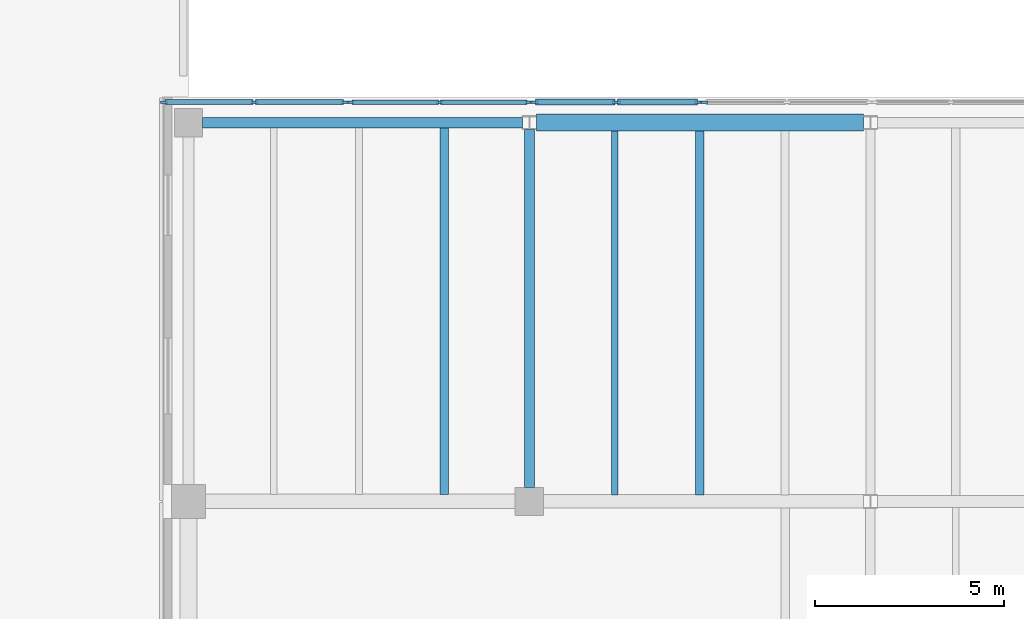
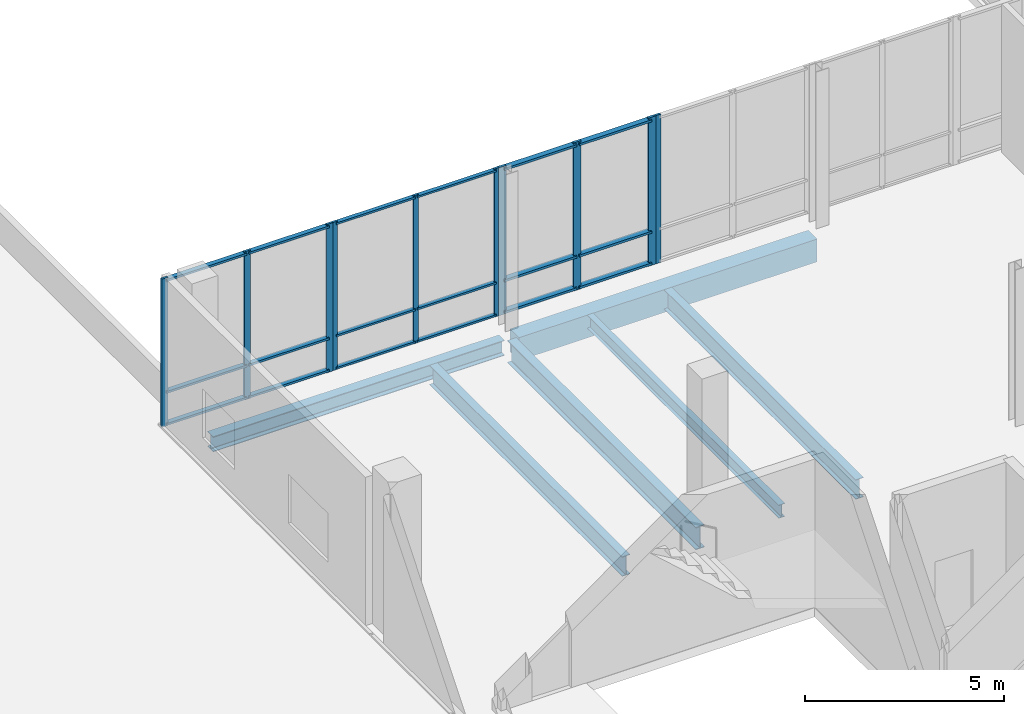
# One storey, part 13 of 41: 28 members, 6 beams, 4 elements without a shape of their own.
"""IFC4 building model written with IfcOpenShell, lengths in metres."""

import ifcopenshell
import ifcopenshell.guid

model = None  # the IFC model being written
_history = None  # IfcOwnerHistory: only IFC2X3 demands one
_inside = {}  # id of a spatial element -> (the spatial element, [elements in it])
_under = {}  # id of a project, library or spatial element -> (it, [spatial elements below it])
_declared = {}  # id of a project -> (the project, [libraries it declares])
_typed = {}  # id of a type object -> (the type object, [elements of that type])
_made_of = {}  # id of a material, layer set ... -> (it, [elements and type objects made of it])


def new_model(schema):
    """Start an empty IFC model of exactly this schema.

    Asked for "IFC4X3", IfcOpenShell would pick the latest addendum, in which some entities
    have other attributes; the version numbers below select the first issue.
    IFC2X3 requires an IfcOwnerHistory on every rooted entity: one is made here for all.
    """
    global model, _history
    if schema == "IFC4X3":
        model = ifcopenshell.file(schema_version=(4, 3, 0, 0))
    else:
        model = ifcopenshell.file(schema=schema)
    _inside.clear()
    _under.clear()
    _declared.clear()
    _typed.clear()
    _made_of.clear()
    _history = None
    if model.schema == "IFC2X3":
        org = make("IfcOrganization", Name="unknown")
        user = make(
            "IfcPersonAndOrganization",
            ThePerson=make("IfcPerson", FamilyName="unknown"),
            TheOrganization=org,
        )
        app = make(
            "IfcApplication",
            ApplicationDeveloper=org,
            Version="unknown",
            ApplicationFullName="unknown",
            ApplicationIdentifier="unknown",
        )
        _history = make(
            "IfcOwnerHistory",
            OwningUser=user,
            OwningApplication=app,
            ChangeAction="ADDED",
            CreationDate=0,
        )
    return model


def make(cls, **values):
    """One entity of the class cls with the attributes given. An attribute that is None is left unset."""
    return model.create_entity(
        cls, **{name: value for name, value in values.items() if value is not None}
    )


def rooted(cls, **values):
    """An entity with a GlobalId (a new one), such as an element, a storey or a relation."""
    return make(cls, GlobalId=ifcopenshell.guid.new(), OwnerHistory=_history, **values)


def si_unit(unit_type, name, prefix=None):
    """IfcSIUnit, for example si_unit("LENGTHUNIT", "METRE", prefix="MILLI")."""
    return make("IfcSIUnit", UnitType=unit_type, Prefix=prefix, Name=name)


def assignment(units):
    """IfcUnitAssignment: the units of a project."""
    return None if units is None else make("IfcUnitAssignment", Units=units)


def point(xyz):
    """IfcCartesianPoint."""
    return None if xyz is None else make("IfcCartesianPoint", Coordinates=xyz)


def direction(xyz):
    """IfcDirection."""
    return None if xyz is None else make("IfcDirection", DirectionRatios=xyz)


def frame(location, z_axis=None, x_axis=None):
    """IfcAxis2Placement3D, a coordinate frame: its origin and axes. An axis left out is left unset."""
    return make(
        "IfcAxis2Placement3D",
        Location=point(location),
        Axis=direction(z_axis),
        RefDirection=direction(x_axis),
    )


def frame_2d(location, x_axis=None):
    """IfcAxis2Placement2D, a coordinate frame in the plane: its origin and x axis."""
    return make(
        "IfcAxis2Placement2D", Location=point(location), RefDirection=direction(x_axis)
    )


def origin():
    """The frame at (0, 0, 0) with its axes left unset."""
    return frame((0.0, 0.0, 0.0))


def origin_2d():
    """The frame at (0, 0) in the plane with its x axis left unset."""
    return frame_2d((0.0, 0.0))


def place(relative_to, where):
    """IfcLocalPlacement: puts the frame where relative to a parent placement (None: the world)."""
    return make(
        "IfcLocalPlacement", PlacementRelTo=relative_to, RelativePlacement=where
    )


def context(
    kind, dimensions, precision=None, world=None, true_north=None, identifier=None
):
    """IfcGeometricRepresentationContext, for example the 3D "Model" context."""
    return make(
        "IfcGeometricRepresentationContext",
        ContextIdentifier=identifier,
        ContextType=kind,
        CoordinateSpaceDimension=dimensions,
        Precision=precision,
        WorldCoordinateSystem=world,
        TrueNorth=true_north,
    )


def subcontext(parent, identifier, kind, view, scale=None):
    """IfcGeometricRepresentationSubContext, for example "Body" below "Model"."""
    return make(
        "IfcGeometricRepresentationSubContext",
        ContextIdentifier=identifier,
        ContextType=kind,
        ParentContext=parent,
        TargetScale=scale,
        TargetView=view,
    )


def project(units=None, contexts=None):
    """IfcProject with its units and contexts."""
    return rooted(
        "IfcProject",
        Name="project",
        RepresentationContexts=contexts,
        UnitsInContext=assignment(units),
    )


def spatial(cls, under=None, at=None, **own):
    """A site, building, storey or space (cls), placed at a placement, below another one or the project."""
    s = rooted(cls, ObjectPlacement=at, **own)
    if under is not None:
        _under.setdefault(under.id(), (under, []))[1].append(s)
    return s


def profile(cls, at=None, kind="AREA", **sizes):
    """A parametric profile (cls). Its sizes go by their IFC names, for example OverallWidth=200.0."""
    return make(cls, ProfileType=kind, Position=at, **sizes)


def rectangle(**sizes):
    """IfcRectangleProfileDef."""
    return profile("IfcRectangleProfileDef", **sizes)


def i_section(**sizes):
    """IfcIShapeProfileDef."""
    return profile("IfcIShapeProfileDef", **sizes)


def extrude(swept, where, along, depth):
    """IfcExtrudedAreaSolid: the profile swept, set in the frame where, extruded along a direction by depth."""
    return make(
        "IfcExtrudedAreaSolid",
        SweptArea=swept,
        Position=where,
        ExtrudedDirection=direction(along),
        Depth=depth,
    )


def shape(context_of_items, identifier, shape_type, items):
    """IfcShapeRepresentation: the items that make up one representation, for example the "Body"."""
    return make(
        "IfcShapeRepresentation",
        ContextOfItems=context_of_items,
        RepresentationIdentifier=identifier,
        RepresentationType=shape_type,
        Items=items,
    )


def material(Name=None, Category=None):
    """IfcMaterial."""
    return make("IfcMaterial", Name=Name, Category=Category)


def material_profile(
    of_material, cross_section, Name=None, Category=None, Priority=None
):
    """IfcMaterialProfile: a cross section and its material."""
    return make(
        "IfcMaterialProfile",
        Name=Name,
        Material=of_material,
        Profile=cross_section,
        Priority=Priority,
        Category=Category,
    )


def profile_set(profiles, Name=None, composite=None):
    """IfcMaterialProfileSet."""
    return make(
        "IfcMaterialProfileSet",
        Name=Name,
        MaterialProfiles=profiles,
        CompositeProfile=composite,
    )


def made_of(thing, what):
    """Note that an element or type object is made of a material, layer set ...; save() writes the relation."""
    if what is not None:
        _made_of.setdefault(what.id(), (what, []))[1].append(thing)
    return thing


def type_object(cls, material=None, **own):
    """A type object (cls), such as IfcWallType, which elements share."""
    return made_of(rooted(cls, **own), material)


def element(
    cls,
    number,
    at=None,
    inside=None,
    cuts=None,
    type_object=None,
    material=None,
    context=None,
    identifier="Body",
    shape_type=None,
    held_by="IfcProductDefinitionShape",
    body=None,
    shapes=None,
    **own,
):
    """One element of the class cls, such as IfcWall. Its Tag is "e" and its number.

    at: its placement. inside: the storey or other place that contains it. cuts: it is an
    opening in that element (IfcRelVoidsElement). A single representation is given by context,
    identifier, shape_type and body (its items); several are given by shapes. held_by: the class
    of the entity that holds the representations. save() writes the other relations.
    """
    e = rooted(cls, Tag="e%d" % number, ObjectPlacement=at, **own)
    if body is not None:
        shapes = [shape(context, identifier, shape_type, body)]
    if shapes is not None:
        e.Representation = make(held_by, Representations=shapes)
    if inside is not None:
        _inside.setdefault(inside.id(), (inside, []))[1].append(e)
    if cuts is not None:
        rooted(
            "IfcRelVoidsElement", RelatingBuildingElement=cuts, RelatedOpeningElement=e
        )
    if type_object is not None:
        _typed.setdefault(type_object.id(), (type_object, []))[1].append(e)
    return made_of(e, material)


def aggregate(whole, parts):
    """IfcRelAggregates: a whole, such as a stair, and the parts it consists of."""
    return rooted("IfcRelAggregates", RelatingObject=whole, RelatedObjects=parts)


def save(model, path):
    """Write the relations noted so far, then the file.

    IfcRelAggregates (storeys below a building ...), IfcRelContainedInSpatialStructure (elements
    in a storey), IfcRelDefinesByType, IfcRelAssociatesMaterial and IfcRelDeclares: one each for
    every whole, place, type object, material and project.
    """
    for whole, parts in _under.values():
        aggregate(whole, parts)
    for where, things in _inside.values():
        rooted(
            "IfcRelContainedInSpatialStructure",
            RelatedElements=things,
            RelatingStructure=where,
        )
    for kind, things in _typed.values():
        rooted("IfcRelDefinesByType", RelatedObjects=things, RelatingType=kind)
    for what, things in _made_of.values():
        rooted("IfcRelAssociatesMaterial", RelatedObjects=things, RelatingMaterial=what)
    for by, libraries in _declared.values():
        rooted("IfcRelDeclares", RelatingContext=by, RelatedDefinitions=libraries)
    model.write(path)


model = new_model("IFC4")

# Units and contexts
model_context = context("Model", 3, precision=1e-05, world=origin(), true_north=direction((0.0, 1.0)))
body_context = subcontext(model_context, "Body", "Model", "MODEL_VIEW")
ifc_project = project(units=[si_unit("LENGTHUNIT", "METRE"), si_unit("AREAUNIT", "SQUARE_METRE"), si_unit("VOLUMEUNIT", "CUBIC_METRE"), si_unit("PLANEANGLEUNIT", "RADIAN"), si_unit("MASSUNIT", "GRAM", prefix="KILO")], contexts=[model_context])

# Site, building, storey
site_placement = place(None, origin())
site = spatial("IfcSite", under=ifc_project, at=site_placement, CompositionType="ELEMENT")
building_placement = place(site_placement, origin())
building = spatial("IfcBuilding", under=site, at=building_placement, Name="Trimount Lyric Opera House", CompositionType="ELEMENT")
storey_placement = place(building_placement, frame((0.0, 0.0, 20.0)))
storey = spatial("IfcBuildingStorey", under=building, at=storey_placement, Name="L04", CompositionType="ELEMENT", Elevation=20.0)

# Beams
ifc_material_1 = material(Name="Steel ASTM A992 Grade 50", Category="steel")
ifc_material_profile_1 = material_profile(ifc_material_1, i_section(OverallWidth=0.25390625, OverallDepth=0.68798828125, WebThickness=0.01318359375, FlangeThickness=0.02099609375, FilletRadius=0.01611328125, at=origin_2d()), Name="W27X102")
ifc_profile_set_1 = profile_set([ifc_material_profile_1], Name="Steel ASTM A992 Grade 50")
beam_type_1 = type_object("IfcBeamType", Name="B-09", PredefinedType="BEAM", material=ifc_profile_set_1)
beam_1_placement = place(storey_placement, frame((27.0, 64.375, -0.6240234375), z_axis=(0.0, 1.0, 0.0), x_axis=(-1.0, 0.0, 0.0)))
element("IfcBeam", 1, at=beam_1_placement, inside=storey, type_object=beam_type_1, Name="L04 girder Y-1191", PredefinedType="BEAM", context=body_context, shape_type="SweptSolid", body=[
    extrude(i_section(OverallWidth=0.25390625, OverallDepth=0.68798828125, WebThickness=0.01318359375, FlangeThickness=0.02099609375, FilletRadius=0.01611328125, at=origin_2d()), origin(), (0.0, 0.0, 1.0), 9.447021484375),
])
ifc_material_2 = material(Name="Steel ASTM A992 Grade 50", Category="steel")
ifc_material_profile_2 = material_profile(ifc_material_2, i_section(OverallWidth=0.22802734375, OverallDepth=0.60205078125, WebThickness=0.010498046875, FlangeThickness=0.014892578125, FilletRadius=0.012939453125, at=origin_2d()), Name="W24X68")
ifc_profile_set_2 = profile_set([ifc_material_profile_2], Name="Steel ASTM A992 Grade 50")
beam_type_2 = type_object("IfcBeamType", Name="J-01", PredefinedType="BEAM", material=ifc_profile_set_2)
beam_2_placement = place(storey_placement, frame((24.75, 64.18701171875, -0.5810546875), z_axis=(0.0, 1.0, 0.0), x_axis=(-1.0, 0.0, 0.0)))
element("IfcBeam", 2, at=beam_2_placement, inside=storey, type_object=beam_type_2, Name="L04 composite floor joist 1136", PredefinedType="BEAM", context=body_context, shape_type="SweptSolid", body=[
    extrude(i_section(OverallWidth=0.22802734375, OverallDepth=0.60205078125, WebThickness=0.010498046875, FlangeThickness=0.014892578125, FilletRadius=0.012939453125, at=origin_2d()), origin(), (0.0, 0.0, 1.0), 9.676025390625),
])
beam_3_placement = place(storey_placement, frame((31.5, 64.174072265625, -0.5810546875), z_axis=(0.0, 1.0, 0.0), x_axis=(-1.0, 0.0, 0.0)))
element("IfcBeam", 3, at=beam_3_placement, inside=storey, type_object=beam_type_2, Name="L04 composite floor joist 1139", PredefinedType="BEAM", context=body_context, shape_type="SweptSolid", body=[
    extrude(i_section(OverallWidth=0.22802734375, OverallDepth=0.60205078125, WebThickness=0.010498046875, FlangeThickness=0.014892578125, FilletRadius=0.012939453125, at=origin_2d()), origin(), (0.0, 0.0, 1.0), 9.60498046875),
])
ifc_material_3 = material(Name="Steel ASTM A992 Grade 50", Category="steel")
ifc_material_profile_3 = material_profile(ifc_material_3, i_section(OverallWidth=0.177978515625, OverallDepth=0.404052734375, WebThickness=0.007568359375, FlangeThickness=0.010986328125, FilletRadius=0.010009765625, at=origin_2d()), Name="W16X36")
ifc_profile_set_3 = profile_set([ifc_material_profile_3], Name="Steel ASTM A992 Grade 50")
beam_type_3 = type_object("IfcBeamType", Name="J-06", PredefinedType="BEAM", material=ifc_profile_set_3)
beam_4_placement = place(storey_placement, frame((29.25, 64.174072265625, -0.48193359375), z_axis=(0.0, 1.0, 0.0), x_axis=(-1.0, 0.0, 0.0)))
element("IfcBeam", 4, at=beam_4_placement, inside=storey, type_object=beam_type_3, Name="L04 composite floor joist 1138", PredefinedType="BEAM", context=body_context, shape_type="SweptSolid", body=[
    extrude(i_section(OverallWidth=0.177978515625, OverallDepth=0.404052734375, WebThickness=0.007568359375, FlangeThickness=0.010986328125, FilletRadius=0.010009765625, at=origin_2d()), origin(), (0.0, 0.0, 1.0), 9.60498046875),
])

# Curtain wall, members
ifc_material_4 = material(Name="Thermally Broken Aluminium and Low-E Glass", Category="aluminium")
curtain_wall_type = type_object("IfcCurtainWallType", Name="CW-03", PredefinedType="NOTDEFINED", material=ifc_material_4)
curtain_wall_1_placement = place(storey_placement, origin())
curtain_wall_1 = element("IfcCurtainWall", 5, at=curtain_wall_1_placement, inside=storey, type_object=curtain_wall_type, Name="L04 curtain wall 309", PredefinedType="NOTDEFINED")
ifc_material_5 = material(Name="Anodised Aluminium 6063-T6", Category="aluminium")
ifc_material_profile_4 = material_profile(ifc_material_5, rectangle(XDim=0.070068359375, YDim=0.219970703125, at=origin_2d()), Name="ALU-MULL-70X220")
ifc_profile_set_4 = profile_set([ifc_material_profile_4], Name="Anodised Aluminium 6063-T6")
member_type_1 = type_object("IfcMemberType", Name="ML-01", PredefinedType="MULLION", material=ifc_profile_set_4)
member_1_placement = place(storey_placement, frame((27.125, 74.5400390625, 0.0), z_axis=(0.0, 0.0, 1.0), x_axis=(0.0, 1.0, 0.0)))
member_1 = element("IfcMember", 6, at=member_1_placement, type_object=member_type_1, Name="CW-03 mullion 1", PredefinedType="MULLION", context=body_context, shape_type="SweptSolid", body=[
    extrude(rectangle(XDim=0.070068359375, YDim=0.219970703125, at=origin_2d()), origin(), (0.0, 0.0, 1.0), 4.5400390625),
])
member_2_placement = place(storey_placement, frame((29.294921875, 74.5400390625, 0.0), z_axis=(0.0, 0.0, 1.0), x_axis=(0.0, 1.0, 0.0)))
member_2 = element("IfcMember", 7, at=member_2_placement, type_object=member_type_1, Name="CW-03 mullion 2", PredefinedType="MULLION", context=body_context, shape_type="SweptSolid", body=[
    extrude(rectangle(XDim=0.070068359375, YDim=0.219970703125, at=origin_2d()), origin(), (0.0, 0.0, 1.0), 4.5400390625),
])
member_3_placement = place(storey_placement, frame((31.465087890625, 74.5400390625, 0.0), z_axis=(0.0, 0.0, 1.0), x_axis=(0.0, 1.0, 0.0)))
member_3 = element("IfcMember", 8, at=member_3_placement, type_object=member_type_1, Name="CW-03 mullion 3", PredefinedType="MULLION", context=body_context, shape_type="SweptSolid", body=[
    extrude(rectangle(XDim=0.070068359375, YDim=0.219970703125, at=origin_2d()), origin(), (0.0, 0.0, 1.0), 4.5400390625),
])

curtain_wall_2_placement = place(storey_placement, origin())
curtain_wall_2 = element("IfcCurtainWall", 9, at=curtain_wall_2_placement, inside=storey, type_object=curtain_wall_type, Name="L04 curtain wall 307", PredefinedType="NOTDEFINED")
ifc_material_6 = material(Name="Anodised Aluminium 6063-T6", Category="aluminium")
ifc_material_profile_5 = material_profile(ifc_material_6, rectangle(XDim=0.06494140625, YDim=0.179931640625, at=origin_2d()), Name="ALU-MULL-65X180")
ifc_profile_set_5 = profile_set([ifc_material_profile_5], Name="Anodised Aluminium 6063-T6")
member_type_2 = type_object("IfcMemberType", Name="ML-02", PredefinedType="MULLION", material=ifc_profile_set_5)
member_4_placement = place(storey_placement, frame((17.3525390625, 74.5400390625, 0.0), z_axis=(0.0, 0.0, 1.0), x_axis=(0.0, 1.0, 0.0)))
member_4 = element("IfcMember", 10, at=member_4_placement, type_object=member_type_2, Name="CW-03 mullion 1", PredefinedType="MULLION", context=body_context, shape_type="SweptSolid", body=[
    extrude(rectangle(XDim=0.06494140625, YDim=0.179931640625, at=origin_2d()), origin(), (0.0, 0.0, 1.0), 4.5400390625),
])
member_5_placement = place(storey_placement, frame((19.739990234375, 74.5400390625, 0.0), z_axis=(0.0, 0.0, 1.0), x_axis=(0.0, 1.0, 0.0)))
member_5 = element("IfcMember", 11, at=member_5_placement, type_object=member_type_2, Name="CW-03 mullion 2", PredefinedType="MULLION", context=body_context, shape_type="SweptSolid", body=[
    extrude(rectangle(XDim=0.06494140625, YDim=0.179931640625, at=origin_2d()), origin(), (0.0, 0.0, 1.0), 4.5400390625),
])
member_6_placement = place(storey_placement, frame((22.12744140625, 74.5400390625, 0.0), z_axis=(0.0, 0.0, 1.0), x_axis=(0.0, 1.0, 0.0)))
member_6 = element("IfcMember", 12, at=member_6_placement, type_object=member_type_2, Name="CW-03 mullion 3", PredefinedType="MULLION", context=body_context, shape_type="SweptSolid", body=[
    extrude(rectangle(XDim=0.06494140625, YDim=0.179931640625, at=origin_2d()), origin(), (0.0, 0.0, 1.0), 4.5400390625),
])

# Curtain wall, member
curtain_wall_3_placement = place(storey_placement, origin())
curtain_wall_3 = element("IfcCurtainWall", 13, at=curtain_wall_3_placement, inside=storey, type_object=curtain_wall_type, Name="L04 curtain wall 310", PredefinedType="NOTDEFINED")
member_7_placement = place(storey_placement, frame((31.62255859375, 74.5400390625, 0.0), z_axis=(0.0, 0.0, 1.0), x_axis=(0.0, 1.0, 0.0)))
member_7 = element("IfcMember", 14, at=member_7_placement, type_object=member_type_2, Name="CW-03 mullion 1", PredefinedType="MULLION", context=body_context, shape_type="SweptSolid", body=[
    extrude(rectangle(XDim=0.06494140625, YDim=0.179931640625, at=origin_2d()), origin(), (0.0, 0.0, 1.0), 4.5400390625),
])
aggregate(curtain_wall_3, [member_7])

# Curtain wall, members
curtain_wall_4_placement = place(storey_placement, origin())
curtain_wall_4 = element("IfcCurtainWall", 15, at=curtain_wall_4_placement, inside=storey, type_object=curtain_wall_type, Name="L04 curtain wall 308", PredefinedType="NOTDEFINED")
ifc_material_7 = material(Name="Anodised Aluminium 6063-T6", Category="aluminium")
ifc_material_profile_6 = material_profile(ifc_material_7, rectangle(XDim=0.06005859375, YDim=0.14990234375, at=origin_2d()), Name="ALU-MULL-60X150")
ifc_profile_set_6 = profile_set([ifc_material_profile_6], Name="Anodised Aluminium 6063-T6")
member_type_3 = type_object("IfcMemberType", Name="ML-03", PredefinedType="MULLION", material=ifc_profile_set_6)
member_8_placement = place(storey_placement, frame((22.280029296875, 74.5400390625, 0.0), z_axis=(0.0, 0.0, 1.0), x_axis=(0.0, 1.0, 0.0)))
member_8 = element("IfcMember", 16, at=member_8_placement, type_object=member_type_3, Name="CW-03 mullion 1", PredefinedType="MULLION", context=body_context, shape_type="SweptSolid", body=[
    extrude(rectangle(XDim=0.06005859375, YDim=0.14990234375, at=origin_2d()), origin(), (0.0, 0.0, 1.0), 4.5400390625),
])
member_9_placement = place(storey_placement, frame((24.625, 74.5400390625, 0.0), z_axis=(0.0, 0.0, 1.0), x_axis=(0.0, 1.0, 0.0)))
member_9 = element("IfcMember", 17, at=member_9_placement, type_object=member_type_3, Name="CW-03 mullion 2", PredefinedType="MULLION", context=body_context, shape_type="SweptSolid", body=[
    extrude(rectangle(XDim=0.06005859375, YDim=0.14990234375, at=origin_2d()), origin(), (0.0, 0.0, 1.0), 4.5400390625),
])
member_10_placement = place(storey_placement, frame((26.969970703125, 74.5400390625, 0.0), z_axis=(0.0, 0.0, 1.0), x_axis=(0.0, 1.0, 0.0)))
member_10 = element("IfcMember", 18, at=member_10_placement, type_object=member_type_3, Name="CW-03 mullion 3", PredefinedType="MULLION", context=body_context, shape_type="SweptSolid", body=[
    extrude(rectangle(XDim=0.06005859375, YDim=0.14990234375, at=origin_2d()), origin(), (0.0, 0.0, 1.0), 4.5400390625),
])

# Beams
ifc_material_8 = material(Name="Steel ASTM A992 Grade 50", Category="steel")
ifc_material_profile_7 = material_profile(ifc_material_8, i_section(OverallWidth=0.281982421875, OverallDepth=0.467041015625, WebThickness=0.01220703125, FlangeThickness=0.01953125, FilletRadius=0.012939453125, at=origin_2d()), Name="W18X86")
ifc_profile_set_7 = profile_set([ifc_material_profile_7], Name="Steel ASTM A992 Grade 50")
beam_type_4 = type_object("IfcBeamType", Name="SP-01", PredefinedType="SPANDREL", material=ifc_profile_set_7)
beam_5_placement = place(storey_placement, frame((18.375, 74.0, -0.513427734375), z_axis=(1.0, 0.0, 0.0), x_axis=(0.0, 1.0, 0.0)))
element("IfcBeam", 19, at=beam_5_placement, inside=storey, type_object=beam_type_4, Name="L04 girder X-1159", PredefinedType="SPANDREL", context=body_context, shape_type="SweptSolid", body=[
    extrude(i_section(OverallWidth=0.281982421875, OverallDepth=0.467041015625, WebThickness=0.01220703125, FlangeThickness=0.01953125, FilletRadius=0.012939453125, at=origin_2d()), origin(), (0.0, 0.0, 1.0), 8.44091796875),
])
ifc_material_9 = material(Name="Concrete C40/50", Category="concrete")
ifc_material_profile_8 = material_profile(ifc_material_9, rectangle(XDim=0.449951171875, YDim=0.699951171875, at=origin_2d()), Name="RC450X700")
ifc_profile_set_8 = profile_set([ifc_material_profile_8], Name="Concrete C40/50")
beam_type_5 = type_object("IfcBeamType", Name="SP-02", PredefinedType="SPANDREL", material=ifc_profile_set_8)
beam_6_placement = place(storey_placement, frame((27.18408203125, 74.0, -0.6298828125), z_axis=(1.0, 0.0, 0.0), x_axis=(0.0, 1.0, 0.0)))
element("IfcBeam", 20, at=beam_6_placement, inside=storey, type_object=beam_type_5, Name="L04 girder X-1160", PredefinedType="SPANDREL", context=body_context, shape_type="SweptSolid", body=[
    extrude(rectangle(XDim=0.449951171875, YDim=0.699951171875, at=origin_2d()), origin(), (0.0, 0.0, 1.0), 8.6318359375),
])

# Member
ifc_material_10 = material(Name="Anodised Aluminium 6063-T6", Category="aluminium")
ifc_material_profile_9 = material_profile(ifc_material_10, rectangle(XDim=0.159912109375, YDim=0.070068359375, at=origin_2d()), Name="ALU-TRAN-70X160")
ifc_profile_set_9 = profile_set([ifc_material_profile_9], Name="Anodised Aluminium 6063-T6")
member_type_4 = type_object("IfcMemberType", Name="TR-01", PredefinedType="USERDEFINED", material=ifc_profile_set_9)
member_11_placement = place(storey_placement, frame((27.159912109375, 74.5400390625, 0.080078125), z_axis=(1.0, 0.0, 0.0), x_axis=(0.0, 1.0, 0.0)))
member_11 = element("IfcMember", 21, at=member_11_placement, type_object=member_type_4, Name="CW-03 transom 1.1", ObjectType="TRANSOM", PredefinedType="USERDEFINED", context=body_context, shape_type="SweptSolid", body=[
    extrude(rectangle(XDim=0.159912109375, YDim=0.070068359375, at=origin_2d()), origin(), (0.0, 0.0, 1.0), 2.10009765625),
])

member_12_placement = place(storey_placement, frame((27.159912109375, 74.5400390625, 1.050048828125), z_axis=(1.0, 0.0, 0.0), x_axis=(0.0, 1.0, 0.0)))
member_12 = element("IfcMember", 22, at=member_12_placement, type_object=member_type_4, Name="CW-03 transom 1.2", ObjectType="TRANSOM", PredefinedType="USERDEFINED", context=body_context, shape_type="SweptSolid", body=[
    extrude(rectangle(XDim=0.159912109375, YDim=0.070068359375, at=origin_2d()), origin(), (0.0, 0.0, 1.0), 2.10009765625),
])

member_13_placement = place(storey_placement, frame((27.159912109375, 74.5400390625, 4.4599609375), z_axis=(1.0, 0.0, 0.0), x_axis=(0.0, 1.0, 0.0)))
member_13 = element("IfcMember", 23, at=member_13_placement, type_object=member_type_4, Name="CW-03 transom 1.3", ObjectType="TRANSOM", PredefinedType="USERDEFINED", context=body_context, shape_type="SweptSolid", body=[
    extrude(rectangle(XDim=0.159912109375, YDim=0.070068359375, at=origin_2d()), origin(), (0.0, 0.0, 1.0), 2.10009765625),
])

member_14_placement = place(storey_placement, frame((29.330078125, 74.5400390625, 0.080078125), z_axis=(1.0, 0.0, 0.0), x_axis=(0.0, 1.0, 0.0)))
member_14 = element("IfcMember", 24, at=member_14_placement, type_object=member_type_4, Name="CW-03 transom 2.1", ObjectType="TRANSOM", PredefinedType="USERDEFINED", context=body_context, shape_type="SweptSolid", body=[
    extrude(rectangle(XDim=0.159912109375, YDim=0.070068359375, at=origin_2d()), origin(), (0.0, 0.0, 1.0), 2.099853515625),
])

member_15_placement = place(storey_placement, frame((29.330078125, 74.5400390625, 1.050048828125), z_axis=(1.0, 0.0, 0.0), x_axis=(0.0, 1.0, 0.0)))
member_15 = element("IfcMember", 25, at=member_15_placement, type_object=member_type_4, Name="CW-03 transom 2.2", ObjectType="TRANSOM", PredefinedType="USERDEFINED", context=body_context, shape_type="SweptSolid", body=[
    extrude(rectangle(XDim=0.159912109375, YDim=0.070068359375, at=origin_2d()), origin(), (0.0, 0.0, 1.0), 2.099853515625),
])

member_16_placement = place(storey_placement, frame((29.330078125, 74.5400390625, 4.4599609375), z_axis=(1.0, 0.0, 0.0), x_axis=(0.0, 1.0, 0.0)))
member_16 = element("IfcMember", 26, at=member_16_placement, type_object=member_type_4, Name="CW-03 transom 2.3", ObjectType="TRANSOM", PredefinedType="USERDEFINED", context=body_context, shape_type="SweptSolid", body=[
    extrude(rectangle(XDim=0.159912109375, YDim=0.070068359375, at=origin_2d()), origin(), (0.0, 0.0, 1.0), 2.099853515625),
])

aggregate(curtain_wall_1, [member_1, member_2, member_3, member_11, member_12, member_13, member_14, member_15, member_16])

ifc_material_11 = material(Name="Anodised Aluminium 6063-T6", Category="aluminium")
ifc_material_profile_10 = material_profile(ifc_material_11, rectangle(XDim=0.135009765625, YDim=0.06494140625, at=origin_2d()), Name="ALU-TRAN-65X135")
ifc_profile_set_10 = profile_set([ifc_material_profile_10], Name="Anodised Aluminium 6063-T6")
member_type_5 = type_object("IfcMemberType", Name="TR-02", PredefinedType="USERDEFINED", material=ifc_profile_set_10)
member_17_placement = place(storey_placement, frame((17.385009765625, 74.5400390625, 0.0673828125), z_axis=(1.0, 0.0, 0.0), x_axis=(0.0, 1.0, 0.0)))
member_17 = element("IfcMember", 27, at=member_17_placement, type_object=member_type_5, Name="CW-03 transom 1.1", ObjectType="TRANSOM", PredefinedType="USERDEFINED", context=body_context, shape_type="SweptSolid", body=[
    extrude(rectangle(XDim=0.135009765625, YDim=0.06494140625, at=origin_2d()), origin(), (0.0, 0.0, 1.0), 2.322509765625),
])

member_18_placement = place(storey_placement, frame((17.385009765625, 74.5400390625, 1.050048828125), z_axis=(1.0, 0.0, 0.0), x_axis=(0.0, 1.0, 0.0)))
member_18 = element("IfcMember", 28, at=member_18_placement, type_object=member_type_5, Name="CW-03 transom 1.2", ObjectType="TRANSOM", PredefinedType="USERDEFINED", context=body_context, shape_type="SweptSolid", body=[
    extrude(rectangle(XDim=0.135009765625, YDim=0.06494140625, at=origin_2d()), origin(), (0.0, 0.0, 1.0), 2.322509765625),
])

member_19_placement = place(storey_placement, frame((17.385009765625, 74.5400390625, 4.472412109375), z_axis=(1.0, 0.0, 0.0), x_axis=(0.0, 1.0, 0.0)))
member_19 = element("IfcMember", 29, at=member_19_placement, type_object=member_type_5, Name="CW-03 transom 1.3", ObjectType="TRANSOM", PredefinedType="USERDEFINED", context=body_context, shape_type="SweptSolid", body=[
    extrude(rectangle(XDim=0.135009765625, YDim=0.06494140625, at=origin_2d()), origin(), (0.0, 0.0, 1.0), 2.322509765625),
])

member_20_placement = place(storey_placement, frame((19.7724609375, 74.5400390625, 0.0673828125), z_axis=(1.0, 0.0, 0.0), x_axis=(0.0, 1.0, 0.0)))
member_20 = element("IfcMember", 30, at=member_20_placement, type_object=member_type_5, Name="CW-03 transom 2.1", ObjectType="TRANSOM", PredefinedType="USERDEFINED", context=body_context, shape_type="SweptSolid", body=[
    extrude(rectangle(XDim=0.135009765625, YDim=0.06494140625, at=origin_2d()), origin(), (0.0, 0.0, 1.0), 2.322509765625),
])

member_21_placement = place(storey_placement, frame((19.7724609375, 74.5400390625, 1.050048828125), z_axis=(1.0, 0.0, 0.0), x_axis=(0.0, 1.0, 0.0)))
member_21 = element("IfcMember", 31, at=member_21_placement, type_object=member_type_5, Name="CW-03 transom 2.2", ObjectType="TRANSOM", PredefinedType="USERDEFINED", context=body_context, shape_type="SweptSolid", body=[
    extrude(rectangle(XDim=0.135009765625, YDim=0.06494140625, at=origin_2d()), origin(), (0.0, 0.0, 1.0), 2.322509765625),
])

member_22_placement = place(storey_placement, frame((19.7724609375, 74.5400390625, 4.472412109375), z_axis=(1.0, 0.0, 0.0), x_axis=(0.0, 1.0, 0.0)))
member_22 = element("IfcMember", 32, at=member_22_placement, type_object=member_type_5, Name="CW-03 transom 2.3", ObjectType="TRANSOM", PredefinedType="USERDEFINED", context=body_context, shape_type="SweptSolid", body=[
    extrude(rectangle(XDim=0.135009765625, YDim=0.06494140625, at=origin_2d()), origin(), (0.0, 0.0, 1.0), 2.322509765625),
])

aggregate(curtain_wall_2, [member_4, member_5, member_6, member_17, member_18, member_19, member_20, member_21, member_22])

ifc_material_12 = material(Name="Anodised Aluminium 6063-T6", Category="aluminium")
ifc_material_profile_11 = material_profile(ifc_material_12, rectangle(XDim=0.114990234375, YDim=0.06005859375, at=origin_2d()), Name="ALU-TRAN-60X115")
ifc_profile_set_11 = profile_set([ifc_material_profile_11], Name="Anodised Aluminium 6063-T6")
member_type_6 = type_object("IfcMemberType", Name="TR-03", PredefinedType="USERDEFINED", material=ifc_profile_set_11)
member_23_placement = place(storey_placement, frame((22.31005859375, 74.5400390625, 0.0576171875), z_axis=(1.0, 0.0, 0.0), x_axis=(0.0, 1.0, 0.0)))
member_23 = element("IfcMember", 33, at=member_23_placement, type_object=member_type_6, Name="CW-03 transom 1.1", ObjectType="TRANSOM", PredefinedType="USERDEFINED", context=body_context, shape_type="SweptSolid", body=[
    extrude(rectangle(XDim=0.114990234375, YDim=0.06005859375, at=origin_2d()), origin(), (0.0, 0.0, 1.0), 2.284912109375),
])

member_24_placement = place(storey_placement, frame((22.31005859375, 74.5400390625, 1.050048828125), z_axis=(1.0, 0.0, 0.0), x_axis=(0.0, 1.0, 0.0)))
member_24 = element("IfcMember", 34, at=member_24_placement, type_object=member_type_6, Name="CW-03 transom 1.2", ObjectType="TRANSOM", PredefinedType="USERDEFINED", context=body_context, shape_type="SweptSolid", body=[
    extrude(rectangle(XDim=0.114990234375, YDim=0.06005859375, at=origin_2d()), origin(), (0.0, 0.0, 1.0), 2.284912109375),
])

member_25_placement = place(storey_placement, frame((22.31005859375, 74.5400390625, 4.482421875), z_axis=(1.0, 0.0, 0.0), x_axis=(0.0, 1.0, 0.0)))
member_25 = element("IfcMember", 35, at=member_25_placement, type_object=member_type_6, Name="CW-03 transom 1.3", ObjectType="TRANSOM", PredefinedType="USERDEFINED", context=body_context, shape_type="SweptSolid", body=[
    extrude(rectangle(XDim=0.114990234375, YDim=0.06005859375, at=origin_2d()), origin(), (0.0, 0.0, 1.0), 2.284912109375),
])

member_26_placement = place(storey_placement, frame((24.655029296875, 74.5400390625, 0.0576171875), z_axis=(1.0, 0.0, 0.0), x_axis=(0.0, 1.0, 0.0)))
member_26 = element("IfcMember", 36, at=member_26_placement, type_object=member_type_6, Name="CW-03 transom 2.1", ObjectType="TRANSOM", PredefinedType="USERDEFINED", context=body_context, shape_type="SweptSolid", body=[
    extrude(rectangle(XDim=0.114990234375, YDim=0.06005859375, at=origin_2d()), origin(), (0.0, 0.0, 1.0), 2.284912109375),
])

member_27_placement = place(storey_placement, frame((24.655029296875, 74.5400390625, 1.050048828125), z_axis=(1.0, 0.0, 0.0), x_axis=(0.0, 1.0, 0.0)))
member_27 = element("IfcMember", 37, at=member_27_placement, type_object=member_type_6, Name="CW-03 transom 2.2", ObjectType="TRANSOM", PredefinedType="USERDEFINED", context=body_context, shape_type="SweptSolid", body=[
    extrude(rectangle(XDim=0.114990234375, YDim=0.06005859375, at=origin_2d()), origin(), (0.0, 0.0, 1.0), 2.284912109375),
])

member_28_placement = place(storey_placement, frame((24.655029296875, 74.5400390625, 4.482421875), z_axis=(1.0, 0.0, 0.0), x_axis=(0.0, 1.0, 0.0)))
member_28 = element("IfcMember", 38, at=member_28_placement, type_object=member_type_6, Name="CW-03 transom 2.3", ObjectType="TRANSOM", PredefinedType="USERDEFINED", context=body_context, shape_type="SweptSolid", body=[
    extrude(rectangle(XDim=0.114990234375, YDim=0.06005859375, at=origin_2d()), origin(), (0.0, 0.0, 1.0), 2.284912109375),
])

aggregate(curtain_wall_4, [member_8, member_9, member_10, member_23, member_24, member_25, member_26, member_27, member_28])

save(model, "model.ifc")
